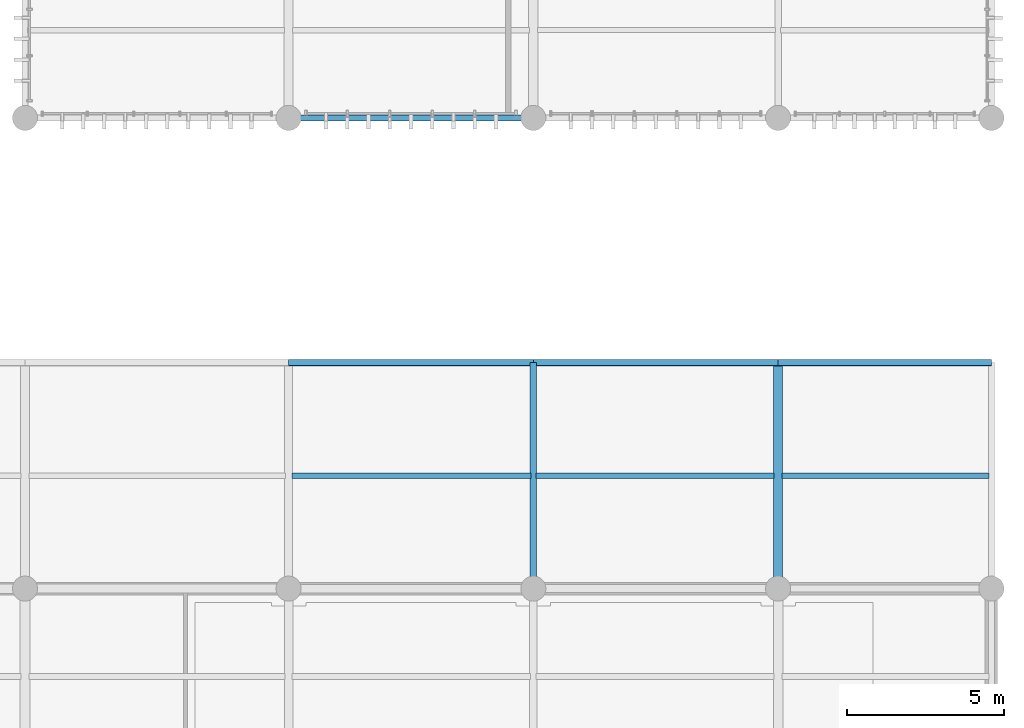
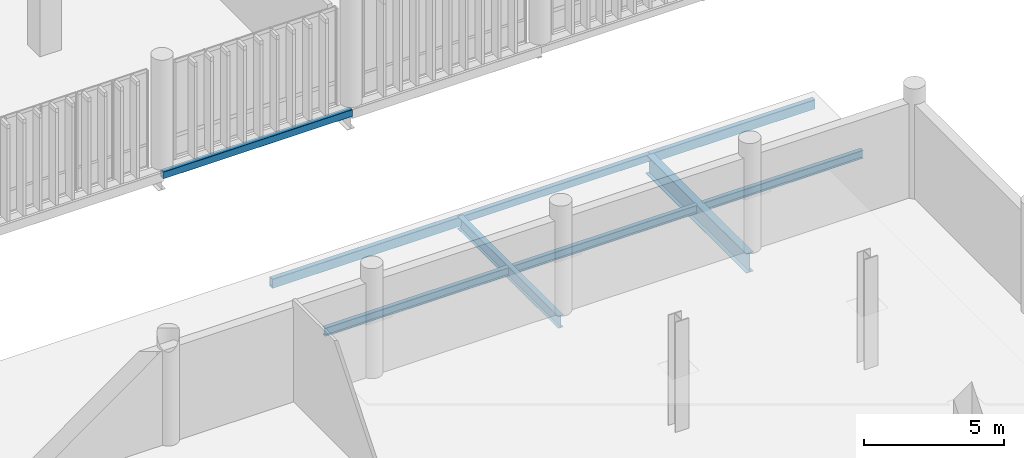
# One storey, part 64 of 109: 9 beams.
"""IFC4 building model written with IfcOpenShell, lengths in metres."""

from ifc_helpers import new_model, si_unit, direction, frame, origin_with_axes, origin_2d_with_axis, place, context, subcontext, project, spatial, hollow_rectangle, i_section, extrude, material, material_profile, profile_set, type_object, element, save


model = new_model("IFC4")

# Units and contexts
model_context = context("Model", 3, precision=1e-05, world=origin_with_axes(), true_north=direction((0.0, 1.0)))
body_context = subcontext(model_context, "Body", "Model", "MODEL_VIEW")
ifc_project = project(units=[si_unit("LENGTHUNIT", "METRE"), si_unit("AREAUNIT", "SQUARE_METRE"), si_unit("VOLUMEUNIT", "CUBIC_METRE"), si_unit("PLANEANGLEUNIT", "RADIAN"), si_unit("MASSUNIT", "GRAM", prefix="KILO"), si_unit("THERMODYNAMICTEMPERATUREUNIT", "KELVIN")], contexts=[model_context])

# Site, building, storey
site_placement = place(None, origin_with_axes())
site = spatial("IfcSite", under=ifc_project, at=site_placement, CompositionType="ELEMENT")
building_placement = place(site_placement, origin_with_axes())
building = spatial("IfcBuilding", under=site, at=building_placement, Name="Montbau Bow Law Courts", CompositionType="ELEMENT")
storey_placement = place(building_placement, frame((0.0, 0.0, 10.8), z_axis=(0.0, 0.0, 1.0), x_axis=(1.0, 0.0, 0.0)))
storey = spatial("IfcBuildingStorey", under=building, at=storey_placement, Name="L02", CompositionType="ELEMENT", Elevation=10.8)

# Beams
ifc_material_1 = material(Name="Steel CSA G40.21 Grade 350W (350 MPa)", Category="steel")
ifc_material_profile_1 = material_profile(ifc_material_1, i_section(OverallWidth=0.293, OverallDepth=0.846, WebThickness=0.0154, FlangeThickness=0.0244, at=origin_2d_with_axis()), Name="W840X210", Category="Main", Priority=0)
ifc_profile_set_1 = profile_set([ifc_material_profile_1], Name="Steel CSA G40.21 Grade 350W (350 MPa)")
beam_type_1 = type_object("IfcBeamType", Name="B-FLR-02", PredefinedType="BEAM", material=ifc_profile_set_1)
beam_1_placement = place(None, frame((162.6, 54.6, 10.127), z_axis=(0.0, 1.0, 0.0), x_axis=(-1.0, 0.0, 0.0)))
element("IfcBeam", 1, at=beam_1_placement, inside=storey, type_object=beam_type_1, Name="BM-L02-S1617:bm2_1620", PredefinedType="BEAM", context=body_context, shape_type="SweptSolid", body=[
    extrude(i_section(OverallWidth=0.293, OverallDepth=0.846, WebThickness=0.0154, FlangeThickness=0.0244, at=origin_2d_with_axis()), origin_with_axes(), (0.0, 0.0, 1.0), 7.2),
])
ifc_material_profile_2 = material_profile(ifc_material_1, i_section(OverallWidth=0.21, OverallDepth=0.537, WebThickness=0.0109, FlangeThickness=0.0174, at=origin_2d_with_axis()), Name="W530X101", Category="Main", Priority=0)
ifc_profile_set_2 = profile_set([ifc_material_profile_2], Name="Steel CSA G40.21 Grade 350W (350 MPa)")
beam_type_2 = type_object("IfcBeamType", Name="B-FLR-06", PredefinedType="BEAM", material=ifc_profile_set_2)
beam_2_placement = place(None, frame((154.8, 54.6, 10.282), z_axis=(0.0, 1.0, 0.0), x_axis=(-1.0, 0.0, 0.0)))
element("IfcBeam", 2, at=beam_2_placement, inside=storey, type_object=beam_type_2, Name="BM-L02-S1610:bm2_1613", PredefinedType="BEAM", context=body_context, shape_type="SweptSolid", body=[
    extrude(i_section(OverallWidth=0.21, OverallDepth=0.537, WebThickness=0.0109, FlangeThickness=0.0174, at=origin_2d_with_axis()), origin_with_axes(), (0.0, 0.0, 1.0), 7.2),
])
ifc_material_profile_3 = material_profile(ifc_material_1, i_section(OverallWidth=0.172, OverallDepth=0.358, WebThickness=0.0079, FlangeThickness=0.0131, at=origin_2d_with_axis()), Name="W360X57", Category="Main", Priority=0)
ifc_profile_set_3 = profile_set([ifc_material_profile_3], Name="Steel CSA G40.21 Grade 350W (350 MPa)")
beam_type_3 = type_object("IfcBeamType", Name="B-JST-03", PredefinedType="JOIST", material=ifc_profile_set_3)
beam_3_placement = place(None, frame((147.103, 58.2, 10.371), z_axis=(1.0, 0.0, 0.0), x_axis=(0.0, 1.0, 0.0)))
element("IfcBeam", 3, at=beam_3_placement, inside=storey, type_object=beam_type_3, Name="JST-L02-S0922:jst2_0922", PredefinedType="JOIST", context=body_context, shape_type="SweptSolid", body=[
    extrude(i_section(OverallWidth=0.172, OverallDepth=0.358, WebThickness=0.0079, FlangeThickness=0.0131, at=origin_2d_with_axis()), origin_with_axes(), (0.0, 0.0, 1.0), 7.616),
])
beam_4_placement = place(None, frame((154.881, 58.2, 10.371), z_axis=(1.0, 0.0, 0.0), x_axis=(0.0, 1.0, 0.0)))
element("IfcBeam", 4, at=beam_4_placement, inside=storey, type_object=beam_type_3, Name="JST-L02-S0934:jst2_0934", PredefinedType="JOIST", context=body_context, shape_type="SweptSolid", body=[
    extrude(i_section(OverallWidth=0.172, OverallDepth=0.358, WebThickness=0.0079, FlangeThickness=0.0131, at=origin_2d_with_axis()), origin_with_axes(), (0.0, 0.0, 1.0), 7.596),
])
beam_5_placement = place(None, frame((162.722, 58.2, 10.371), z_axis=(1.0, 0.0, 0.0), x_axis=(0.0, 1.0, 0.0)))
element("IfcBeam", 5, at=beam_5_placement, inside=storey, type_object=beam_type_3, Name="JST-L02-S0946:jst2_0946", PredefinedType="JOIST", context=body_context, shape_type="SweptSolid", body=[
    extrude(i_section(OverallWidth=0.172, OverallDepth=0.358, WebThickness=0.0079, FlangeThickness=0.0131, at=origin_2d_with_axis()), origin_with_axes(), (0.0, 0.0, 1.0), 6.598),
])
ifc_material_2 = material(Name="Steel CSA G40.21 Grade 350WT (350 MPa)", Category="steel")
ifc_material_profile_4 = material_profile(ifc_material_2, hollow_rectangle(XDim=0.203, YDim=0.406, WallThickness=0.0127, InnerFilletRadius=0.0254, OuterFilletRadius=0.0127, at=origin_2d_with_axis()), Name="HSS406X203X13", Category="Main", Priority=0)
ifc_profile_set_4 = profile_set([ifc_material_profile_4], Name="Steel CSA G40.21 Grade 350WT (350 MPa)")
beam_type_4 = type_object("IfcBeamType", Name="B-SPN-01", PredefinedType="SPANDREL", material=ifc_profile_set_4)
beam_6_placement = place(None, frame((147.0, 61.8, 10.347), z_axis=(1.0, 0.0, 0.0), x_axis=(0.0, 1.0, 0.0)))
element("IfcBeam", 6, at=beam_6_placement, inside=storey, type_object=beam_type_4, Name="SPN-L02-S1575:bm2_1578", PredefinedType="SPANDREL", context=body_context, shape_type="SweptSolid", body=[
    extrude(hollow_rectangle(XDim=0.203, YDim=0.406, WallThickness=0.0127, InnerFilletRadius=0.0254, OuterFilletRadius=0.0127, at=origin_2d_with_axis()), origin_with_axes(), (0.0, 0.0, 1.0), 7.8),
])
beam_7_placement = place(None, frame((162.6, 61.8, 10.347), z_axis=(1.0, 0.0, 0.0), x_axis=(0.0, 1.0, 0.0)))
element("IfcBeam", 7, at=beam_7_placement, inside=storey, type_object=beam_type_4, Name="SPN-L02-S1577:bm2_1580", PredefinedType="SPANDREL", context=body_context, shape_type="SweptSolid", body=[
    extrude(hollow_rectangle(XDim=0.203, YDim=0.406, WallThickness=0.0127, InnerFilletRadius=0.0254, OuterFilletRadius=0.0127, at=origin_2d_with_axis()), origin_with_axes(), (0.0, 0.0, 1.0), 6.8),
])
ifc_material_profile_5 = material_profile(ifc_material_2, hollow_rectangle(XDim=0.203, YDim=0.305, WallThickness=0.0127, InnerFilletRadius=0.0254, OuterFilletRadius=0.0127, at=origin_2d_with_axis()), Name="HSS305X203X13", Category="Main", Priority=0)
ifc_profile_set_5 = profile_set([ifc_material_profile_5], Name="Steel CSA G40.21 Grade 350WT (350 MPa)")
beam_type_5 = type_object("IfcBeamType", Name="B-SPN-02", PredefinedType="SPANDREL", material=ifc_profile_set_5)
for number, where, z_axis, x_axis, name in (
    (8, (147.0, 69.6, 10.348), (1.0, 0.0, 0.0), (0.0, 1.0, 0.0), "SPN-L02-S1166:bm2_1169"),
    (9, (154.8, 61.8, 10.398), (1.0, 0.0, 0.0), (0.0, 1.0, 0.0), "SPN-L02-S1576:bm2_1579"),
):
    element("IfcBeam", number, at=place(None, frame(where, z_axis=z_axis, x_axis=x_axis)), inside=storey, type_object=beam_type_5, Name=name, PredefinedType="SPANDREL", context=body_context, shape_type="SweptSolid", body=[
        extrude(hollow_rectangle(XDim=0.203, YDim=0.305, WallThickness=0.0127, InnerFilletRadius=0.0254, OuterFilletRadius=0.0127, at=origin_2d_with_axis()), origin_with_axes(), (0.0, 0.0, 1.0), 7.8),
    ])

save(model, "model.ifc")
